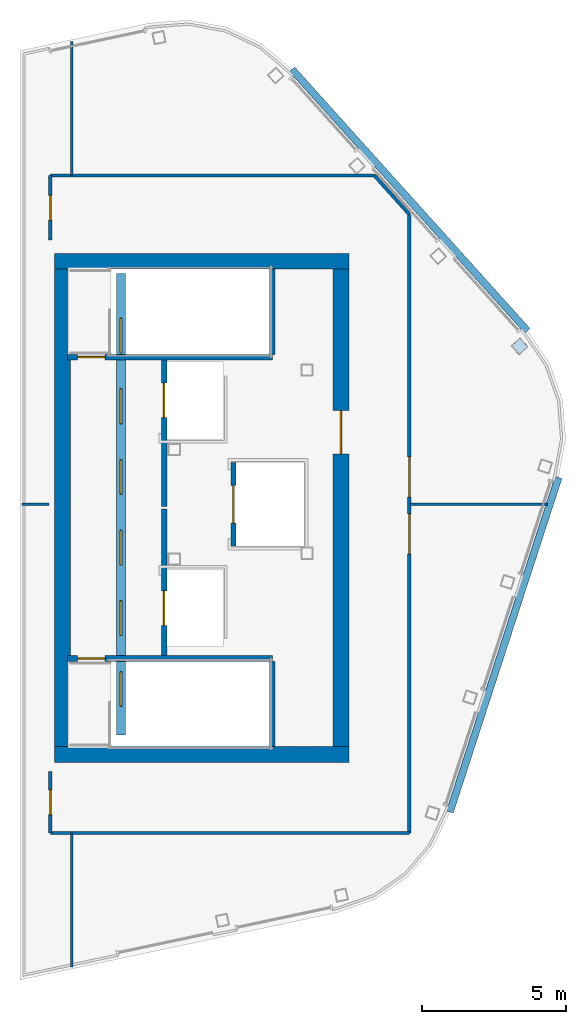
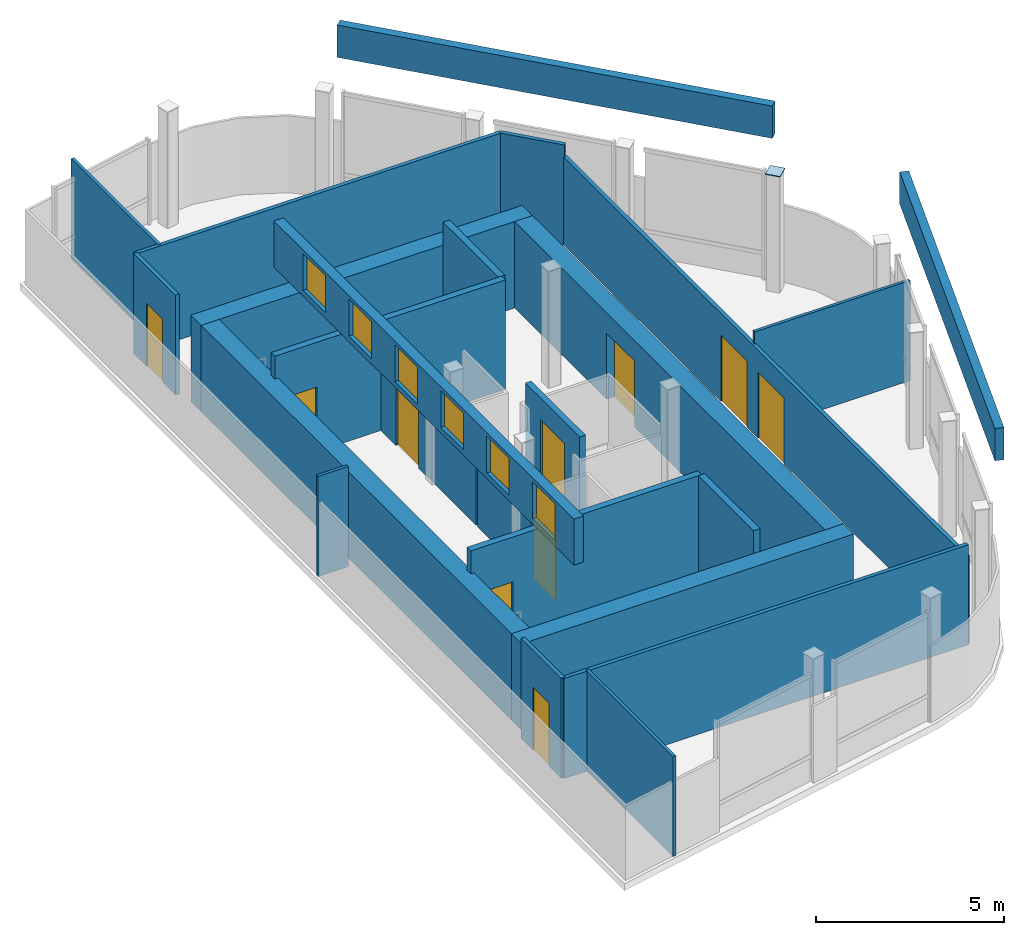
# One storey, part 2 of 3: 24 walls, 10 doors, 6 windows, 1 plate, 16 openings.
"""IFC4 building model written with IfcOpenShell, lengths in metres."""

from ifc_helpers import new_model, si_unit, direction, frame, frame_2d, origin, origin_2d, place, context, subcontext, project, spatial, rectangle, extrude, material, layer, layer_set, type_object, element, fill, save


model = new_model("IFC4")

# Units and contexts
model_context = context("Model", 3, precision=1e-05, world=origin(), true_north=direction((0.0, 1.0)))
body_context = subcontext(model_context, "Body", "Model", "MODEL_VIEW")
ifc_project = project(units=[si_unit("LENGTHUNIT", "METRE"), si_unit("AREAUNIT", "SQUARE_METRE"), si_unit("VOLUMEUNIT", "CUBIC_METRE"), si_unit("PLANEANGLEUNIT", "RADIAN"), si_unit("MASSUNIT", "GRAM", prefix="KILO")], contexts=[model_context])

# Site, building, storey
site_placement = place(None, origin())
site = spatial("IfcSite", under=ifc_project, at=site_placement, CompositionType="ELEMENT")
building_placement = place(site_placement, origin())
building = spatial("IfcBuilding", under=site, at=building_placement, Name="Valkerne Bourse Tower", CompositionType="ELEMENT")
storey_placement = place(building_placement, frame((0.0, 0.0, 334.39990234375)))
storey = spatial("IfcBuildingStorey", under=building, at=storey_placement, Name="L85", CompositionType="ELEMENT", Elevation=334.39990234375)

# Plate
ifc_material_1 = material(Name="Steel ASTM A572 Grade 50", Category="steel")
ifc_layer_1 = layer(ifc_material_1, 0.02490234375)
ifc_layer_set_1 = layer_set([ifc_layer_1], Name="Steel ASTM A572 Grade 50")
plate_type = type_object("IfcPlateType", Name="PLT-CAP-400", PredefinedType="SHEET", material=ifc_layer_set_1)
plate_placement = place(storey_placement, frame((62.322509765625, 32.474853515625, 3.791259765625), z_axis=(0.0, 0.0, 1.0), x_axis=(-0.669130606359, 0.743144825477, 0.0)))
element("IfcPlate", 1, at=plate_placement, inside=storey, type_object=plate_type, Name="L85 HSS400 Column Head Cap Plate PLT-CAP400-L85-027", PredefinedType="SHEET", context=body_context, shape_type="SweptSolid", body=[
    extrude(rectangle(XDim=0.419921875, YDim=0.419921875, at=origin_2d()), origin(), (0.0, 0.0, 1.0), 0.02490234375),
])

# Walls
ifc_material_2 = material(Name="Concrete C55/67", Category="concrete")
ifc_layer_2 = layer(ifc_material_2, 0.550048828125)
ifc_layer_set_2 = layer_set([ifc_layer_2], Name="Concrete C55/67")
wall_type_1 = type_object("IfcWallType", Name="W-CORE-550", PredefinedType="SHEAR", material=ifc_layer_set_2)
for number, where, z_axis, x_axis, name in (
    (2, (46.199951171875, 18.324951171875, 0.0), (0.0, 0.0, 1.0), (1.0, 0.0, 0.0), "L85 Core Shear Wall SOUTH"),
    (3, (46.199951171875, 35.425048828125, 0.0), (0.0, 0.0, 1.0), (1.0, 0.0, 0.0), "L85 Core Shear Wall NORTH"),
):
    element("IfcWall", number, at=place(storey_placement, frame(where, z_axis=z_axis, x_axis=x_axis)), inside=storey, type_object=wall_type_1, Name=name, PredefinedType="SHEAR", context=body_context, shape_type="SweptSolid", body=[
        extrude(rectangle(XDim=10.199951171875, YDim=0.550048828125, at=frame_2d((5.10009765625, 0.0))), origin(), (0.0, 0.0, 1.0), 2.815185546875),
    ])

# Wall, opening, door
wall_1_placement = place(storey_placement, frame((56.125, 18.60009765625, 0.0), z_axis=(0.0, 0.0, 1.0), x_axis=(0.0, 1.0, 0.0)))
wall_1 = element("IfcWall", 4, at=wall_1_placement, inside=storey, type_object=wall_type_1, Name="L85 Core Shear Wall EAST", PredefinedType="SHEAR", context=body_context, shape_type="SweptSolid", body=[
    extrude(rectangle(XDim=16.5498046875, YDim=0.550048828125, at=frame_2d((8.27490234375, 0.0))), origin(), (0.0, 0.0, 1.0), 2.815185546875),
])
opening_1_placement = place(wall_1_placement, frame((10.14990234375, 0.0, 0.0)))
opening_1 = element("IfcOpeningElement", 5, at=opening_1_placement, cuts=wall_1, Name="Opening D-CR-1500", PredefinedType="OPENING", context=body_context, shape_type="SweptSolid", body=[
    extrude(rectangle(XDim=1.5, YDim=2.14990234375, at=frame_2d((0.75, 1.074951171875))), frame((0.0, 0.284912109375, 0.0), z_axis=(0.0, -1.0, 0.0), x_axis=(1.0, 0.0, 0.0)), (0.0, 0.0, 1.0), 0.570068359375),
])
ifc_material_3 = material(Name="Galvanised Painted Steel", Category="steel")
door_type_1 = type_object("IfcDoorType", Name="DR-CORR-1500", OperationType="DOUBLE_DOOR_SINGLE_SWING", PredefinedType="DOOR", material=ifc_material_3)
door_1_placement = place(opening_1_placement, origin())
door_1 = element("IfcDoor", 6, at=door_1_placement, inside=storey, type_object=door_type_1, Name="L85 East Core Service Lobby Fire Door", OperationType="DOUBLE_DOOR_SINGLE_SWING", OverallHeight=2.14990234375, OverallWidth=1.5, PredefinedType="DOOR", context=body_context, shape_type="SweptSolid", body=[
    extrude(rectangle(XDim=1.5, YDim=2.14990234375, at=frame_2d((0.75, 1.074951171875))), frame((0.0, 0.02490234375, 0.0), z_axis=(0.0, -1.0, 0.0), x_axis=(1.0, 0.0, 0.0)), (0.0, 0.0, 1.0), 0.050048828125),
])
fill(opening_1, door_1)

# Wall
wall_2_placement = place(storey_placement, frame((46.47509765625, 18.60009765625, 0.0), z_axis=(0.0, 0.0, 1.0), x_axis=(0.0, 1.0, 0.0)))
element("IfcWall", 7, at=wall_2_placement, inside=storey, type_object=wall_type_1, Name="L85 Core Shear Wall WEST", PredefinedType="SHEAR", context=body_context, shape_type="SweptSolid", body=[
    extrude(rectangle(XDim=16.5498046875, YDim=0.550048828125, at=frame_2d((8.27490234375, 0.0))), origin(), (0.0, 0.0, 1.0), 2.815185546875),
])

# Wall, opening, door
ifc_material_4 = material(Name="Gypsum Board Steel-Stud Partition", Category="steel")
ifc_layer_3 = layer(ifc_material_4, 0.117919921875)
ifc_layer_set_3 = layer_set([ifc_layer_3], Name="Gypsum Board Steel-Stud Partition")
wall_type_2 = type_object("IfcWallType", Name="W-CORR-140", PredefinedType="PARTITIONING", material=ifc_layer_set_3)
wall_3_placement = place(storey_placement, frame((46.050048828125, 15.60009765625, 0.0), z_axis=(0.0, 0.0, 1.0), x_axis=(0.0, 1.0, 0.0)))
wall_3 = element("IfcWall", 8, at=wall_3_placement, inside=storey, type_object=wall_type_2, Name="L85 Corridor Enclosure Wall", PredefinedType="PARTITIONING", context=body_context, shape_type="SweptSolid", body=[
    extrude(rectangle(XDim=2.139892578125, YDim=0.117919921875, at=frame_2d((1.06982421875, 0.0))), origin(), (0.0, 0.0, 1.0), 3.260009765625),
])
opening_2_placement = place(wall_3_placement, frame((0.639892578125, 0.0, 0.0)))
opening_2 = element("IfcOpeningElement", 9, at=opening_2_placement, cuts=wall_3, Name="Opening D-WC-900", PredefinedType="OPENING", context=body_context, shape_type="SweptSolid", body=[
    extrude(rectangle(XDim=0.860107421875, YDim=2.050048828125, at=frame_2d((0.43017578125, 1.02490234375))), frame((0.0, 0.06884765625, 0.0), z_axis=(0.0, -1.0, 0.0), x_axis=(1.0, 0.0, 0.0)), (0.0, 0.0, 1.0), 0.137939453125),
])
ifc_material_5 = material(Name="Architectural White Oak Timber", Category="wood")
door_type_2 = type_object("IfcDoorType", Name="DR-WC-900", OperationType="NOTDEFINED", PredefinedType="DOOR", material=ifc_material_5)
door_2_placement = place(opening_2_placement, origin())
door_2 = element("IfcDoor", 10, at=door_2_placement, inside=storey, type_object=door_type_2, Name="L85 L85 Crown Chiller & Heat-Rejection Cooling Plant 1 Door", OperationType="SINGLE_SWING_RIGHT", OverallHeight=2.050048828125, OverallWidth=0.860107421875, PredefinedType="DOOR", context=body_context, shape_type="SweptSolid", body=[
    extrude(rectangle(XDim=0.860107421875, YDim=2.050048828125, at=frame_2d((0.43017578125, 1.02490234375))), frame((0.0, 0.02490234375, 0.0), z_axis=(0.0, -1.0, 0.0), x_axis=(1.0, 0.0, 0.0)), (0.0, 0.0, 1.0), 0.050048828125),
])
fill(opening_2, door_2)

wall_4_placement = place(storey_placement, frame((46.050048828125, 36.159912109375, 0.0), z_axis=(0.0, 0.0, 1.0), x_axis=(0.0, 1.0, 0.0)))
wall_4 = element("IfcWall", 11, at=wall_4_placement, inside=storey, type_object=wall_type_2, Name="L85 Corridor Enclosure Wall", PredefinedType="PARTITIONING", context=body_context, shape_type="SweptSolid", body=[
    extrude(rectangle(XDim=2.239990234375, YDim=0.117919921875, at=frame_2d((1.1201171875, 0.0))), origin(), (0.0, 0.0, 1.0), 3.260009765625),
])
opening_3_placement = place(wall_4_placement, frame((0.68994140625, 0.0, 0.0)))
opening_3 = element("IfcOpeningElement", 12, at=opening_3_placement, cuts=wall_4, Name="Opening D-WC-900", PredefinedType="OPENING", context=body_context, shape_type="SweptSolid", body=[
    extrude(rectangle(XDim=0.860107421875, YDim=2.050048828125, at=frame_2d((0.43017578125, 1.02490234375))), frame((0.0, 0.06884765625, 0.0), z_axis=(0.0, -1.0, 0.0), x_axis=(1.0, 0.0, 0.0)), (0.0, 0.0, 1.0), 0.137939453125),
])
door_3_placement = place(opening_3_placement, origin())
door_3 = element("IfcDoor", 13, at=door_3_placement, inside=storey, type_object=door_type_2, Name="L85 L85 Crown Chiller & Heat-Rejection Cooling Plant 4 Door", OperationType="SINGLE_SWING_RIGHT", OverallHeight=2.050048828125, OverallWidth=0.860107421875, PredefinedType="DOOR", context=body_context, shape_type="SweptSolid", body=[
    extrude(rectangle(XDim=0.860107421875, YDim=2.050048828125, at=frame_2d((0.43017578125, 1.02490234375))), frame((0.0, 0.02490234375, 0.0), z_axis=(0.0, -1.0, 0.0), x_axis=(1.0, 0.0, 0.0)), (0.0, 0.0, 1.0), 0.050048828125),
])
fill(opening_3, door_3)

# Walls
wall_5_placement = place(storey_placement, frame((46.050048828125, 38.39990234375, 0.0), z_axis=(0.0, 0.0, 1.0), x_axis=(1.0, 0.0, 0.0)))
element("IfcWall", 14, at=wall_5_placement, inside=storey, type_object=wall_type_2, Name="L85 Corridor Enclosure Wall", PredefinedType="PARTITIONING", context=body_context, shape_type="SweptSolid", body=[
    extrude(rectangle(XDim=11.2373046875, YDim=0.117919921875, at=frame_2d((5.61865234375, 0.0))), origin(), (0.0, 0.0, 1.0), 3.260009765625),
])
wall_6_placement = place(storey_placement, frame((57.287353515625, 38.39990234375, 0.0), z_axis=(0.0, 0.0, 1.0), x_axis=(0.669091242616, -0.743180266863, 0.0)))
element("IfcWall", 15, at=wall_6_placement, inside=storey, type_object=wall_type_2, Name="L85 Corridor Enclosure Wall", PredefinedType="PARTITIONING", context=body_context, shape_type="SweptSolid", body=[
    extrude(rectangle(XDim=1.8125, YDim=0.117919921875, at=frame_2d((0.90625, 0.0))), origin(), (0.0, 0.0, 1.0), 3.260009765625),
])

# Wall, openings, doors
wall_7_placement = place(storey_placement, frame((58.5, 37.052978515625, 0.0), z_axis=(0.0, 0.0, 1.0), x_axis=(0.0, -1.0, 0.0)))
wall_7 = element("IfcWall", 16, at=wall_7_placement, inside=storey, type_object=wall_type_2, Name="L85 Corridor Enclosure Wall", PredefinedType="PARTITIONING", context=body_context, shape_type="SweptSolid", body=[
    extrude(rectangle(XDim=21.452880859375, YDim=0.117919921875, at=frame_2d((10.7265625, 0.0))), origin(), (0.0, 0.0, 1.0), 2.864013671875),
])
opening_4_placement = place(wall_7_placement, frame((10.386474609375, 0.0, 0.0)))
opening_4 = element("IfcOpeningElement", 17, at=opening_4_placement, cuts=wall_7, Name="Opening D-PL-1400", PredefinedType="OPENING", context=body_context, shape_type="SweptSolid", body=[
    extrude(rectangle(XDim=1.39990234375, YDim=2.14990234375, at=frame_2d((0.699951171875, 1.074951171875))), frame((0.0, 0.06884765625, 0.0), z_axis=(0.0, -1.0, 0.0), x_axis=(1.0, 0.0, 0.0)), (0.0, 0.0, 1.0), 0.137939453125),
])
opening_5_placement = place(wall_7_placement, frame((8.406494140625, 0.0, 0.0)))
opening_5 = element("IfcOpeningElement", 18, at=opening_5_placement, cuts=wall_7, Name="Opening D-PL-1400", PredefinedType="OPENING", context=body_context, shape_type="SweptSolid", body=[
    extrude(rectangle(XDim=1.39990234375, YDim=2.14990234375, at=frame_2d((0.699951171875, 1.074951171875))), frame((0.0, 0.06884765625, 0.0), z_axis=(0.0, -1.0, 0.0), x_axis=(1.0, 0.0, 0.0)), (0.0, 0.0, 1.0), 0.137939453125),
])
door_type_3 = type_object("IfcDoorType", Name="DR-PLT-1400", OperationType="DOUBLE_DOOR_SINGLE_SWING", PredefinedType="DOOR", material=ifc_material_3)
door_4_placement = place(opening_4_placement, origin())
door_4 = element("IfcDoor", 19, at=door_4_placement, inside=storey, type_object=door_type_3, Name="L85 L85 Crown Supply Air Handling AHU Plant 2 Door", OperationType="DOUBLE_DOOR_SINGLE_SWING", OverallHeight=2.14990234375, OverallWidth=1.39990234375, PredefinedType="DOOR", context=body_context, shape_type="SweptSolid", body=[
    extrude(rectangle(XDim=1.39990234375, YDim=2.14990234375, at=frame_2d((0.699951171875, 1.074951171875))), frame((0.0, 0.02490234375, 0.0), z_axis=(0.0, -1.0, 0.0), x_axis=(1.0, 0.0, 0.0)), (0.0, 0.0, 1.0), 0.050048828125),
])
fill(opening_4, door_4)
door_5_placement = place(opening_5_placement, origin())
door_5 = element("IfcDoor", 20, at=door_5_placement, inside=storey, type_object=door_type_3, Name="L85 L85 Crown Electrical Switchgear & UPS Plant 3 Door", OperationType="DOUBLE_DOOR_SINGLE_SWING", OverallHeight=2.14990234375, OverallWidth=1.39990234375, PredefinedType="DOOR", context=body_context, shape_type="SweptSolid", body=[
    extrude(rectangle(XDim=1.39990234375, YDim=2.14990234375, at=frame_2d((0.699951171875, 1.074951171875))), frame((0.0, 0.02490234375, 0.0), z_axis=(0.0, -1.0, 0.0), x_axis=(1.0, 0.0, 0.0)), (0.0, 0.0, 1.0), 0.050048828125),
])
fill(opening_5, door_5)

# Wall
wall_8_placement = place(storey_placement, frame((58.5, 15.60009765625, 0.0), z_axis=(0.0, 0.0, 1.0), x_axis=(-1.0, 0.0, 0.0)))
element("IfcWall", 21, at=wall_8_placement, inside=storey, type_object=wall_type_2, Name="L85 Corridor Enclosure Wall", PredefinedType="PARTITIONING", context=body_context, shape_type="SweptSolid", body=[
    extrude(rectangle(XDim=12.449951171875, YDim=0.117919921875, at=frame_2d((6.22509765625, 0.0))), origin(), (0.0, 0.0, 1.0), 3.260009765625),
])

# Wall, openings, windows
ifc_material_6 = material(Name="Bronze Anodised Aluminium AA 6063-T6", Category="aluminium")
ifc_layer_4 = layer(ifc_material_6, 0.300048828125)
ifc_layer_set_4 = layer_set([ifc_layer_4], Name="Bronze Anodised Aluminium AA 6063-T6")
wall_type_3 = type_object("IfcWallType", Name="W-EXT-ALUM-300", PredefinedType="STANDARD", material=ifc_layer_set_4)
wall_9_placement = place(storey_placement, frame((48.5, 19.0, 4.050048828125), z_axis=(0.0, 0.0, 1.0), x_axis=(0.0, 1.0, 0.0)))
wall_9 = element("IfcWall", 22, at=wall_9_placement, inside=storey, type_object=wall_type_3, Name="L85 Crown Clerestory Monitor Wall", PredefinedType="STANDARD", context=body_context, shape_type="SweptSolid", body=[
    extrude(rectangle(XDim=16.0, YDim=0.300048828125, at=frame_2d((8.0, 0.0))), origin(), (0.0, 0.0, 1.0), 1.5),
])
opening_6_placement = place(wall_9_placement, frame((1.0, 0.0, 0.179931640625)))
opening_6 = element("IfcOpeningElement", 23, at=opening_6_placement, cuts=wall_9, Name="Opening SKY-01", PredefinedType="OPENING", context=body_context, shape_type="SweptSolid", body=[
    extrude(rectangle(XDim=1.199951171875, YDim=1.199951171875, at=frame_2d((0.60009765625, 0.60009765625))), frame((0.0, 0.159912109375, 0.0), z_axis=(0.0, -1.0, 0.0), x_axis=(1.0, 0.0, 0.0)), (0.0, 0.0, 1.0), 0.320068359375),
])
opening_7_placement = place(wall_9_placement, frame((3.449951171875, 0.0, 0.179931640625)))
opening_7 = element("IfcOpeningElement", 24, at=opening_7_placement, cuts=wall_9, Name="Opening SKY-01", PredefinedType="OPENING", context=body_context, shape_type="SweptSolid", body=[
    extrude(rectangle(XDim=1.199951171875, YDim=1.199951171875, at=frame_2d((0.60009765625, 0.60009765625))), frame((0.0, 0.159912109375, 0.0), z_axis=(0.0, -1.0, 0.0), x_axis=(1.0, 0.0, 0.0)), (0.0, 0.0, 1.0), 0.320068359375),
])
opening_8_placement = place(wall_9_placement, frame((5.89990234375, 0.0, 0.179931640625)))
opening_8 = element("IfcOpeningElement", 25, at=opening_8_placement, cuts=wall_9, Name="Opening SKY-01", PredefinedType="OPENING", context=body_context, shape_type="SweptSolid", body=[
    extrude(rectangle(XDim=1.199951171875, YDim=1.199951171875, at=frame_2d((0.60009765625, 0.60009765625))), frame((0.0, 0.159912109375, 0.0), z_axis=(0.0, -1.0, 0.0), x_axis=(1.0, 0.0, 0.0)), (0.0, 0.0, 1.0), 0.320068359375),
])
opening_9_placement = place(wall_9_placement, frame((8.35009765625, 0.0, 0.179931640625)))
opening_9 = element("IfcOpeningElement", 26, at=opening_9_placement, cuts=wall_9, Name="Opening SKY-01", PredefinedType="OPENING", context=body_context, shape_type="SweptSolid", body=[
    extrude(rectangle(XDim=1.199951171875, YDim=1.199951171875, at=frame_2d((0.60009765625, 0.60009765625))), frame((0.0, 0.159912109375, 0.0), z_axis=(0.0, -1.0, 0.0), x_axis=(1.0, 0.0, 0.0)), (0.0, 0.0, 1.0), 0.320068359375),
])
opening_10_placement = place(wall_9_placement, frame((10.800048828125, 0.0, 0.179931640625)))
opening_10 = element("IfcOpeningElement", 27, at=opening_10_placement, cuts=wall_9, Name="Opening SKY-01", PredefinedType="OPENING", context=body_context, shape_type="SweptSolid", body=[
    extrude(rectangle(XDim=1.199951171875, YDim=1.199951171875, at=frame_2d((0.60009765625, 0.60009765625))), frame((0.0, 0.159912109375, 0.0), z_axis=(0.0, -1.0, 0.0), x_axis=(1.0, 0.0, 0.0)), (0.0, 0.0, 1.0), 0.320068359375),
])
opening_11_placement = place(wall_9_placement, frame((13.25, 0.0, 0.179931640625)))
opening_11 = element("IfcOpeningElement", 28, at=opening_11_placement, cuts=wall_9, Name="Opening SKY-01", PredefinedType="OPENING", context=body_context, shape_type="SweptSolid", body=[
    extrude(rectangle(XDim=1.199951171875, YDim=1.199951171875, at=frame_2d((0.60009765625, 0.60009765625))), frame((0.0, 0.159912109375, 0.0), z_axis=(0.0, -1.0, 0.0), x_axis=(1.0, 0.0, 0.0)), (0.0, 0.0, 1.0), 0.320068359375),
])
ifc_material_7 = material(Name="Laminated Tempered Safety Glass", Category="glass")
window_type = type_object("IfcWindowType", Name="WIN-RF-SKYLIGHT", PartitioningType="SINGLE_PANEL", PredefinedType="SKYLIGHT", material=ifc_material_7)
window_1_placement = place(opening_6_placement, origin())
window_1 = element("IfcWindow", 29, at=window_1_placement, inside=storey, type_object=window_type, Name="RF Crown Monitor Skylight 01", OverallHeight=1.199951171875, OverallWidth=1.199951171875, PartitioningType="SINGLE_PANEL", PredefinedType="SKYLIGHT", context=body_context, shape_type="SweptSolid", body=[
    extrude(rectangle(XDim=1.199951171875, YDim=1.199951171875, at=frame_2d((0.60009765625, 0.60009765625))), frame((0.0, 0.030029296875, 0.0), z_axis=(0.0, -1.0, 0.0), x_axis=(1.0, 0.0, 0.0)), (0.0, 0.0, 1.0), 0.06005859375),
])
fill(opening_6, window_1)
window_2_placement = place(opening_7_placement, origin())
window_2 = element("IfcWindow", 30, at=window_2_placement, inside=storey, type_object=window_type, Name="RF Crown Monitor Skylight 02", OverallHeight=1.199951171875, OverallWidth=1.199951171875, PartitioningType="SINGLE_PANEL", PredefinedType="SKYLIGHT", context=body_context, shape_type="SweptSolid", body=[
    extrude(rectangle(XDim=1.199951171875, YDim=1.199951171875, at=frame_2d((0.60009765625, 0.60009765625))), frame((0.0, 0.030029296875, 0.0), z_axis=(0.0, -1.0, 0.0), x_axis=(1.0, 0.0, 0.0)), (0.0, 0.0, 1.0), 0.06005859375),
])
fill(opening_7, window_2)
window_3_placement = place(opening_8_placement, origin())
window_3 = element("IfcWindow", 31, at=window_3_placement, inside=storey, type_object=window_type, Name="RF Crown Monitor Skylight 03", OverallHeight=1.199951171875, OverallWidth=1.199951171875, PartitioningType="SINGLE_PANEL", PredefinedType="SKYLIGHT", context=body_context, shape_type="SweptSolid", body=[
    extrude(rectangle(XDim=1.199951171875, YDim=1.199951171875, at=frame_2d((0.60009765625, 0.60009765625))), frame((0.0, 0.030029296875, 0.0), z_axis=(0.0, -1.0, 0.0), x_axis=(1.0, 0.0, 0.0)), (0.0, 0.0, 1.0), 0.06005859375),
])
fill(opening_8, window_3)
window_4_placement = place(opening_9_placement, origin())
window_4 = element("IfcWindow", 32, at=window_4_placement, inside=storey, type_object=window_type, Name="RF Crown Monitor Skylight 04", OverallHeight=1.199951171875, OverallWidth=1.199951171875, PartitioningType="SINGLE_PANEL", PredefinedType="SKYLIGHT", context=body_context, shape_type="SweptSolid", body=[
    extrude(rectangle(XDim=1.199951171875, YDim=1.199951171875, at=frame_2d((0.60009765625, 0.60009765625))), frame((0.0, 0.030029296875, 0.0), z_axis=(0.0, -1.0, 0.0), x_axis=(1.0, 0.0, 0.0)), (0.0, 0.0, 1.0), 0.06005859375),
])
fill(opening_9, window_4)
window_5_placement = place(opening_10_placement, origin())
window_5 = element("IfcWindow", 33, at=window_5_placement, inside=storey, type_object=window_type, Name="RF Crown Monitor Skylight 05", OverallHeight=1.199951171875, OverallWidth=1.199951171875, PartitioningType="SINGLE_PANEL", PredefinedType="SKYLIGHT", context=body_context, shape_type="SweptSolid", body=[
    extrude(rectangle(XDim=1.199951171875, YDim=1.199951171875, at=frame_2d((0.60009765625, 0.60009765625))), frame((0.0, 0.030029296875, 0.0), z_axis=(0.0, -1.0, 0.0), x_axis=(1.0, 0.0, 0.0)), (0.0, 0.0, 1.0), 0.06005859375),
])
fill(opening_10, window_5)
window_6_placement = place(opening_11_placement, origin())
window_6 = element("IfcWindow", 34, at=window_6_placement, inside=storey, type_object=window_type, Name="RF Crown Monitor Skylight 06", OverallHeight=1.199951171875, OverallWidth=1.199951171875, PartitioningType="SINGLE_PANEL", PredefinedType="SKYLIGHT", context=body_context, shape_type="SweptSolid", body=[
    extrude(rectangle(XDim=1.199951171875, YDim=1.199951171875, at=frame_2d((0.60009765625, 0.60009765625))), frame((0.0, 0.030029296875, 0.0), z_axis=(0.0, -1.0, 0.0), x_axis=(1.0, 0.0, 0.0)), (0.0, 0.0, 1.0), 0.06005859375),
])
fill(opening_11, window_6)

# Wall, opening, door
ifc_material_8 = material(Name="Gypsum Fire-Rated Shaftwall", Category="gypsum")
ifc_layer_5 = layer(ifc_material_8, 0.179931640625)
ifc_layer_set_5 = layer_set([ifc_layer_5], Name="Gypsum Fire-Rated Shaftwall")
wall_type_4 = type_object("IfcWallType", Name="W-FSAE-180", PredefinedType="PARTITIONING", material=ifc_layer_set_5)
wall_10_placement = place(storey_placement, frame((50.0, 21.75, 0.0), z_axis=(0.0, 0.0, 1.0), x_axis=(0.0, 1.0, 0.0)))
wall_10 = element("IfcWall", 35, at=wall_10_placement, inside=storey, type_object=wall_type_4, Name="L85 FSAE-1 Lobby & Shaft Front Wall", PredefinedType="PARTITIONING", context=body_context, shape_type="SweptSolid", body=[
    extrude(rectangle(XDim=5.090087890625, YDim=0.179931640625, at=frame_2d((2.544921875, 0.0))), origin(), (0.0, 0.0, 1.0), 2.864013671875),
])
opening_12_placement = place(wall_10_placement, frame((1.050048828125, 0.0, 0.0)))
opening_12 = element("IfcOpeningElement", 36, at=opening_12_placement, cuts=wall_10, Name="Opening LD-1200", PredefinedType="OPENING", context=body_context, shape_type="SweptSolid", body=[
    extrude(rectangle(XDim=1.199951171875, YDim=2.14990234375, at=frame_2d((0.60009765625, 1.074951171875))), frame((0.0, 0.099853515625, 0.0), z_axis=(0.0, -1.0, 0.0), x_axis=(1.0, 0.0, 0.0)), (0.0, 0.0, 1.0), 0.199951171875),
])
ifc_material_9 = material(Name="Stainless Steel AISI 316", Category="steel")
door_type_4 = type_object("IfcDoorType", Name="DR-LIFT-1200", OperationType="DOUBLE_DOOR_SLIDING", PredefinedType="DOOR", material=ifc_material_9)
door_6_placement = place(opening_12_placement, origin())
door_6 = element("IfcDoor", 37, at=door_6_placement, inside=storey, type_object=door_type_4, Name="L85 FSAE-1 Firefighting Lift Landing Door", OperationType="DOUBLE_DOOR_SLIDING", OverallHeight=2.14990234375, OverallWidth=1.199951171875, PredefinedType="DOOR", context=body_context, shape_type="SweptSolid", body=[
    extrude(rectangle(XDim=1.199951171875, YDim=2.14990234375, at=frame_2d((0.60009765625, 1.074951171875))), frame((0.0, 0.02490234375, 0.0), z_axis=(0.0, -1.0, 0.0), x_axis=(1.0, 0.0, 0.0)), (0.0, 0.0, 1.0), 0.050048828125),
])
fill(opening_12, door_6)

wall_11_placement = place(storey_placement, frame((50.0, 26.919921875, 0.0), z_axis=(0.0, 0.0, 1.0), x_axis=(0.0, 1.0, 0.0)))
wall_11 = element("IfcWall", 38, at=wall_11_placement, inside=storey, type_object=wall_type_4, Name="L85 FSAE-2 Lobby & Shaft Front Wall", PredefinedType="PARTITIONING", context=body_context, shape_type="SweptSolid", body=[
    extrude(rectangle(XDim=5.080078125, YDim=0.179931640625, at=frame_2d((2.5400390625, 0.0))), origin(), (0.0, 0.0, 1.0), 2.864013671875),
])
opening_13_placement = place(wall_11_placement, frame((3.080078125, 0.0, 0.0)))
opening_13 = element("IfcOpeningElement", 39, at=opening_13_placement, cuts=wall_11, Name="Opening LD-1200", PredefinedType="OPENING", context=body_context, shape_type="SweptSolid", body=[
    extrude(rectangle(XDim=1.199951171875, YDim=2.14990234375, at=frame_2d((0.60009765625, 1.074951171875))), frame((0.0, 0.099853515625, 0.0), z_axis=(0.0, -1.0, 0.0), x_axis=(1.0, 0.0, 0.0)), (0.0, 0.0, 1.0), 0.199951171875),
])
door_7_placement = place(opening_13_placement, origin())
door_7 = element("IfcDoor", 40, at=door_7_placement, inside=storey, type_object=door_type_4, Name="L85 FSAE-2 Firefighting Lift Landing Door", OperationType="DOUBLE_DOOR_SLIDING", OverallHeight=2.14990234375, OverallWidth=1.199951171875, PredefinedType="DOOR", context=body_context, shape_type="SweptSolid", body=[
    extrude(rectangle(XDim=1.199951171875, YDim=2.14990234375, at=frame_2d((0.60009765625, 1.074951171875))), frame((0.0, 0.02490234375, 0.0), z_axis=(0.0, -1.0, 0.0), x_axis=(1.0, 0.0, 0.0)), (0.0, 0.0, 1.0), 0.050048828125),
])
fill(opening_13, door_7)

ifc_material_10 = material(Name="CMU Blockwork Masonry 200mm", Category="masonry")
ifc_layer_6 = layer(ifc_material_10, 0.179931640625)
ifc_layer_set_6 = layer_set([ifc_layer_6], Name="CMU Blockwork Masonry 200mm")
wall_type_5 = type_object("IfcWallType", Name="W-LFT-180", PredefinedType="SOLIDWALL", material=ifc_layer_set_6)
wall_12_placement = place(storey_placement, frame((52.39990234375, 25.550048828125, 0.0), z_axis=(0.0, 0.0, 1.0), x_axis=(0.0, 1.0, 0.0)))
wall_12 = element("IfcWall", 41, at=wall_12_placement, inside=storey, type_object=wall_type_5, Name="L85 Service Lift SV-1 Front Wall", PredefinedType="SOLIDWALL", context=body_context, shape_type="SweptSolid", body=[
    extrude(rectangle(XDim=2.89990234375, YDim=0.179931640625, at=frame_2d((1.449951171875, 0.0))), origin(), (0.0, 0.0, 1.0), 2.864013671875),
])
opening_14_placement = place(wall_12_placement, frame((0.800048828125, 0.0, 0.0)))
opening_14 = element("IfcOpeningElement", 42, at=opening_14_placement, cuts=wall_12, Name="Opening LD-1300", PredefinedType="OPENING", context=body_context, shape_type="SweptSolid", body=[
    extrude(rectangle(XDim=1.300048828125, YDim=2.14990234375, at=frame_2d((0.64990234375, 1.074951171875))), frame((0.0, 0.099853515625, 0.0), z_axis=(0.0, -1.0, 0.0), x_axis=(1.0, 0.0, 0.0)), (0.0, 0.0, 1.0), 0.199951171875),
])
door_type_5 = type_object("IfcDoorType", Name="DR-LIFT-1300", OperationType="DOUBLE_DOOR_SLIDING", PredefinedType="DOOR", material=ifc_material_9)
door_8_placement = place(opening_14_placement, origin())
door_8 = element("IfcDoor", 43, at=door_8_placement, inside=storey, type_object=door_type_5, Name="L85 Service Lift SV-1 Landing Door", OperationType="DOUBLE_DOOR_SLIDING", OverallHeight=2.14990234375, OverallWidth=1.300048828125, PredefinedType="DOOR", context=body_context, shape_type="SweptSolid", body=[
    extrude(rectangle(XDim=1.300048828125, YDim=2.14990234375, at=frame_2d((0.64990234375, 1.074951171875))), frame((0.0, 0.02490234375, 0.0), z_axis=(0.0, -1.0, 0.0), x_axis=(1.0, 0.0, 0.0)), (0.0, 0.0, 1.0), 0.050048828125),
])
fill(opening_14, door_8)

# Walls
ifc_layer_7 = layer(ifc_material_6, 0.25)
ifc_layer_set_7 = layer_set([ifc_layer_7], Name="Bronze Anodised Aluminium AA 6063-T6")
wall_type_6 = type_object("IfcWallType", Name="W-PARAPET-250", PredefinedType="PARAPET", material=ifc_layer_set_7)
for number, where, z_axis, x_axis, name in (
    (44, (59.906005859375, 16.330078125, 5.03662109375), (0.0, 0.0, 1.0), (0.309011835091, 0.951058192633, 0.0), "L85 Crown Snow-Arrest Parapet Curb 25"),
    (45, (62.593505859375, 33.01513671875, 4.533447265625), (0.0, 0.0, 1.0), (-0.669132829307, 0.74314282392, 0.0), "L85 Crown Snow-Arrest Parapet Curb 30"),
):
    element("IfcWall", number, at=place(storey_placement, frame(where, z_axis=z_axis, x_axis=x_axis)), inside=storey, type_object=wall_type_6, Name=name, PredefinedType="PARAPET", context=body_context, shape_type="SweptSolid", body=[
        extrude(rectangle(XDim=12.195556640625, YDim=0.25, at=frame_2d((6.09765625, 0.0))), origin(), (0.0, 0.0, 1.0), 1.050048828125),
    ])
ifc_layer_8 = layer(ifc_material_4, 0.092041015625)
ifc_layer_set_8 = layer_set([ifc_layer_8], Name="Gypsum Board Steel-Stud Partition")
wall_type_7 = type_object("IfcWallType", Name="W-PART-115", PredefinedType="PARTITIONING", material=ifc_layer_set_8)
for number, where, z_axis, x_axis, name in (
    (46, (46.800048828125, 15.594970703125, 0.0), (0.0, 0.0, 1.0), (0.0, -1.0, 0.0), "L85 Suite Partition P01"),
    (47, (46.800048828125, 38.405029296875, 0.0), (0.0, 0.0, 1.0), (0.0, 1.0, 0.0), "L85 Suite Partition P02"),
):
    element("IfcWall", number, at=place(storey_placement, frame(where, z_axis=z_axis, x_axis=x_axis)), inside=storey, type_object=wall_type_7, Name=name, PredefinedType="PARTITIONING", context=body_context, shape_type="SweptSolid", body=[
        extrude(rectangle(XDim=4.63720703125, YDim=0.092041015625, at=frame_2d((2.318603515625, 0.0))), origin(), (0.0, 0.0, 1.0), 3.260009765625),
    ])
wall_13_placement = place(storey_placement, frame((58.5048828125, 27.0, 0.0), z_axis=(0.0, 0.0, 1.0), x_axis=(1.0, 0.0, 0.0)))
element("IfcWall", 48, at=wall_13_placement, inside=storey, type_object=wall_type_7, Name="L85 Suite Partition P03", PredefinedType="PARTITIONING", context=body_context, shape_type="SweptSolid", body=[
    extrude(rectangle(XDim=4.794189453125, YDim=0.092041015625, at=frame_2d((2.39697265625, 0.0))), origin(), (0.0, 0.0, 1.0), 3.260009765625),
])
wall_14_placement = place(storey_placement, frame((46.0, 27.0, 0.0), z_axis=(0.0, 0.0, 1.0), x_axis=(-1.0, 0.0, 0.0)))
element("IfcWall", 49, at=wall_14_placement, inside=storey, type_object=wall_type_7, Name="L85 Suite Partition P04", PredefinedType="PARTITIONING", context=body_context, shape_type="SweptSolid", body=[
    extrude(rectangle(XDim=0.929931640625, YDim=0.092041015625, at=frame_2d((0.46484375, 0.0))), origin(), (0.0, 0.0, 1.0), 3.260009765625),
])

# Wall, opening, door
ifc_material_11 = material(Name="Concrete C40/50", Category="concrete")
ifc_layer_9 = layer(ifc_material_11, 0.199951171875)
ifc_layer_set_9 = layer_set([ifc_layer_9], Name="Concrete C40/50")
wall_type_8 = type_object("IfcWallType", Name="W-SHF-200", PredefinedType="SHEAR", material=ifc_layer_set_9)
wall_15_placement = place(storey_placement, frame((46.64990234375, 21.64990234375, 0.0), z_axis=(0.0, 0.0, 1.0), x_axis=(1.0, 0.0, 0.0)))
wall_15 = element("IfcWall", 50, at=wall_15_placement, inside=storey, type_object=wall_type_8, Name="L85 Exit Stair ST-1 Structural Shaft Wall North", PredefinedType="SHEAR", context=body_context, shape_type="SweptSolid", body=[
    extrude(rectangle(XDim=7.10009765625, YDim=0.199951171875, at=frame_2d((3.550048828125, 0.0))), origin(), (0.0, 0.0, 1.0), 3.56005859375),
])
opening_15_placement = place(wall_15_placement, frame((0.35009765625, 0.0, 0.0)))
opening_15 = element("IfcOpeningElement", 51, at=opening_15_placement, cuts=wall_15, Name="Opening D-ST-950", PredefinedType="OPENING", context=body_context, shape_type="SweptSolid", body=[
    extrude(rectangle(XDim=0.949951171875, YDim=2.10009765625, at=frame_2d((0.47509765625, 1.050048828125))), frame((0.0, 0.10986328125, 0.0), z_axis=(0.0, -1.0, 0.0), x_axis=(1.0, 0.0, 0.0)), (0.0, 0.0, 1.0), 0.219970703125),
])
door_type_6 = type_object("IfcDoorType", Name="DR-STAIR-950", OperationType="NOTDEFINED", PredefinedType="DOOR", material=ifc_material_3)
door_9_placement = place(opening_15_placement, origin())
door_9 = element("IfcDoor", 52, at=door_9_placement, inside=storey, type_object=door_type_6, Name="L85 Exit Stair ST-1 Door", OperationType="SINGLE_SWING_RIGHT", OverallHeight=2.10009765625, OverallWidth=0.949951171875, PredefinedType="DOOR", context=body_context, shape_type="SweptSolid", body=[
    extrude(rectangle(XDim=0.949951171875, YDim=2.10009765625, at=frame_2d((0.47509765625, 1.050048828125))), frame((0.0, 0.02490234375, 0.0), z_axis=(0.0, -1.0, 0.0), x_axis=(1.0, 0.0, 0.0)), (0.0, 0.0, 1.0), 0.050048828125),
])
fill(opening_15, door_9)

# Wall
wall_16_placement = place(storey_placement, frame((53.75, 18.60009765625, 0.0), z_axis=(0.0, 0.0, 1.0), x_axis=(0.0, 1.0, 0.0)))
element("IfcWall", 53, at=wall_16_placement, inside=storey, type_object=wall_type_8, Name="L85 Exit Stair ST-1 Structural Shaft Wall East", PredefinedType="SHEAR", context=body_context, shape_type="SweptSolid", body=[
    extrude(rectangle(XDim=2.949951171875, YDim=0.199951171875, at=frame_2d((1.47509765625, 0.0))), origin(), (0.0, 0.0, 1.0), 3.56005859375),
])

# Wall, opening, door
wall_17_placement = place(storey_placement, frame((46.64990234375, 32.10009765625, 0.0), z_axis=(0.0, 0.0, 1.0), x_axis=(1.0, 0.0, 0.0)))
wall_17 = element("IfcWall", 54, at=wall_17_placement, inside=storey, type_object=wall_type_8, Name="L85 Exit Stair ST-2 Structural Shaft Wall South", PredefinedType="SHEAR", context=body_context, shape_type="SweptSolid", body=[
    extrude(rectangle(XDim=7.10009765625, YDim=0.199951171875, at=frame_2d((3.550048828125, 0.0))), origin(), (0.0, 0.0, 1.0), 3.56005859375),
])
opening_16_placement = place(wall_17_placement, frame((0.35009765625, 0.0, 0.0)))
opening_16 = element("IfcOpeningElement", 55, at=opening_16_placement, cuts=wall_17, Name="Opening D-ST-950", PredefinedType="OPENING", context=body_context, shape_type="SweptSolid", body=[
    extrude(rectangle(XDim=0.949951171875, YDim=2.10009765625, at=frame_2d((0.47509765625, 1.050048828125))), frame((0.0, 0.10986328125, 0.0), z_axis=(0.0, -1.0, 0.0), x_axis=(1.0, 0.0, 0.0)), (0.0, 0.0, 1.0), 0.219970703125),
])
door_10_placement = place(opening_16_placement, origin())
door_10 = element("IfcDoor", 56, at=door_10_placement, inside=storey, type_object=door_type_6, Name="L85 Exit Stair ST-2 Door", OperationType="SINGLE_SWING_RIGHT", OverallHeight=2.10009765625, OverallWidth=0.949951171875, PredefinedType="DOOR", context=body_context, shape_type="SweptSolid", body=[
    extrude(rectangle(XDim=0.949951171875, YDim=2.10009765625, at=frame_2d((0.47509765625, 1.050048828125))), frame((0.0, 0.02490234375, 0.0), z_axis=(0.0, -1.0, 0.0), x_axis=(1.0, 0.0, 0.0)), (0.0, 0.0, 1.0), 0.050048828125),
])
fill(opening_16, door_10)

# Wall
wall_18_placement = place(storey_placement, frame((53.75, 32.199951171875, 0.0), z_axis=(0.0, 0.0, 1.0), x_axis=(0.0, 1.0, 0.0)))
element("IfcWall", 57, at=wall_18_placement, inside=storey, type_object=wall_type_8, Name="L85 Exit Stair ST-2 Structural Shaft Wall East", PredefinedType="SHEAR", context=body_context, shape_type="SweptSolid", body=[
    extrude(rectangle(XDim=2.949951171875, YDim=0.199951171875, at=frame_2d((1.47509765625, 0.0))), origin(), (0.0, 0.0, 1.0), 3.56005859375),
])

save(model, "model.ifc")
